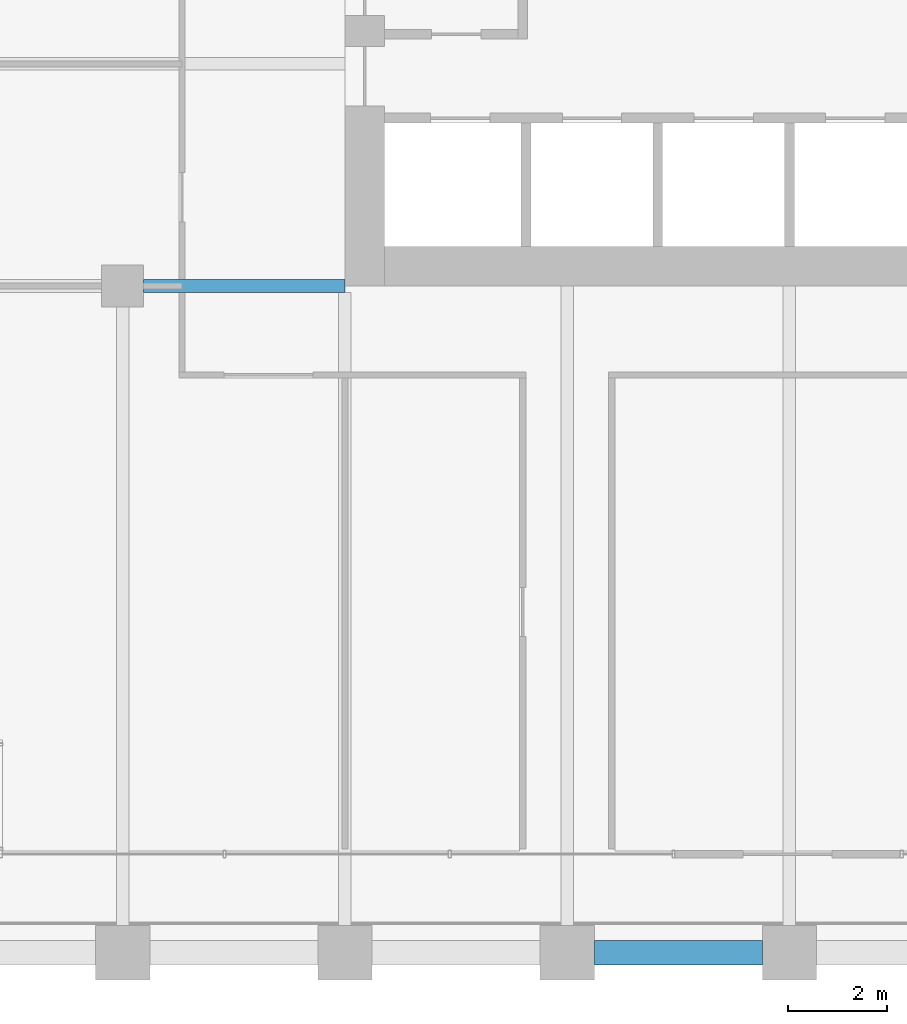
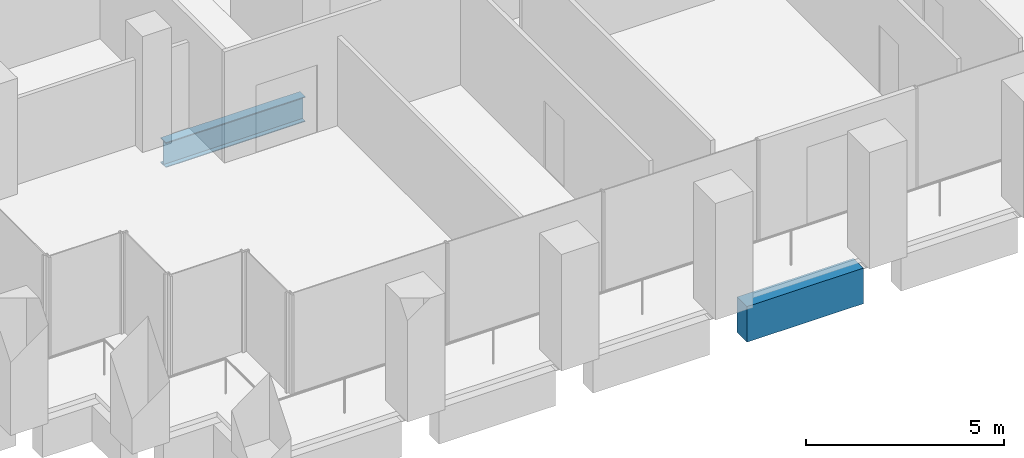
# One storey, part 6 of 56: 2 beams.
"""IFC4 building model written with IfcOpenShell, lengths in metres."""

from ifc_helpers import new_model, si_unit, direction, frame, origin, origin_2d, place, context, subcontext, project, spatial, rectangle, i_section, extrude, material, material_profile, profile_set, type_object, element, save


model = new_model("IFC4")

# Units and contexts
model_context = context("Model", 3, precision=1e-05, world=origin(), true_north=direction((0.0, 1.0)))
body_context = subcontext(model_context, "Body", "Model", "MODEL_VIEW")
ifc_project = project(units=[si_unit("LENGTHUNIT", "METRE"), si_unit("AREAUNIT", "SQUARE_METRE"), si_unit("VOLUMEUNIT", "CUBIC_METRE"), si_unit("PLANEANGLEUNIT", "RADIAN"), si_unit("MASSUNIT", "GRAM", prefix="KILO")], contexts=[model_context])

# Site, building, storey
site_placement = place(None, origin())
site = spatial("IfcSite", under=ifc_project, at=site_placement, CompositionType="ELEMENT")
building_placement = place(site_placement, origin())
building = spatial("IfcBuilding", under=site, at=building_placement, Name="Altepetl Exchange Towers", CompositionType="ELEMENT")
storey_placement = place(building_placement, frame((0.0, 0.0, 69.0)))
storey = spatial("IfcBuildingStorey", under=building, at=storey_placement, Name="L16", CompositionType="ELEMENT", Elevation=69.0)

# Beams
ifc_material_1 = material(Name="Steel S355", Category="steel")
ifc_material_profile_1 = material_profile(ifc_material_1, i_section(OverallWidth=0.26806640625, OverallDepth=0.77392578125, WebThickness=0.015380859375, FlangeThickness=0.025390625, at=origin_2d()), Name="W30X132")
ifc_profile_set_1 = profile_set([ifc_material_profile_1], Name="Steel S355")
beam_type_1 = type_object("IfcBeamType", Name="Girder W30X132", PredefinedType="BEAM", material=ifc_profile_set_1)
beam_1_placement = place(storey_placement, frame((40.5, 40.5, -0.537109375), z_axis=(-1.0, 0.0, 0.0), x_axis=(0.0, -1.0, 0.0)))
element("IfcBeam", 1, at=beam_1_placement, inside=storey, type_object=beam_type_1, Name="gd:A:L16:009", PredefinedType="BEAM", context=body_context, shape_type="SweptSolid", body=[
    extrude(i_section(OverallWidth=0.26806640625, OverallDepth=0.77392578125, WebThickness=0.015380859375, FlangeThickness=0.025390625, at=origin_2d()), origin(), (0.0, 0.0, 1.0), 4.074951171875),
])
ifc_material_2 = material(Name="Concrete C50/60 precast with cantera blanca facing", Category="concrete")
ifc_material_profile_2 = material_profile(ifc_material_2, rectangle(XDim=0.5, YDim=1.10009765625, at=origin_2d()), Name="500 x 1100")
ifc_profile_set_2 = profile_set([ifc_material_profile_2], Name="Concrete C50/60 precast with cantera blanca facing")
beam_type_2 = type_object("IfcBeamType", Name="Spandrel beam 500x1100 cantera blanca", PredefinedType="SPANDREL", material=ifc_profile_set_2)
beam_2_placement = place(storey_placement, frame((45.550048828125, 27.0, -0.699951171875), z_axis=(1.0, 0.0, 0.0), x_axis=(0.0, 1.0, 0.0)))
element("IfcBeam", 2, at=beam_2_placement, inside=storey, type_object=beam_type_2, Name="sp:A:L16:003", PredefinedType="SPANDREL", context=body_context, shape_type="SweptSolid", body=[
    extrude(rectangle(XDim=0.5, YDim=1.10009765625, at=origin_2d()), origin(), (0.0, 0.0, 1.0), 3.39990234375),
])

save(model, "model.ifc")
